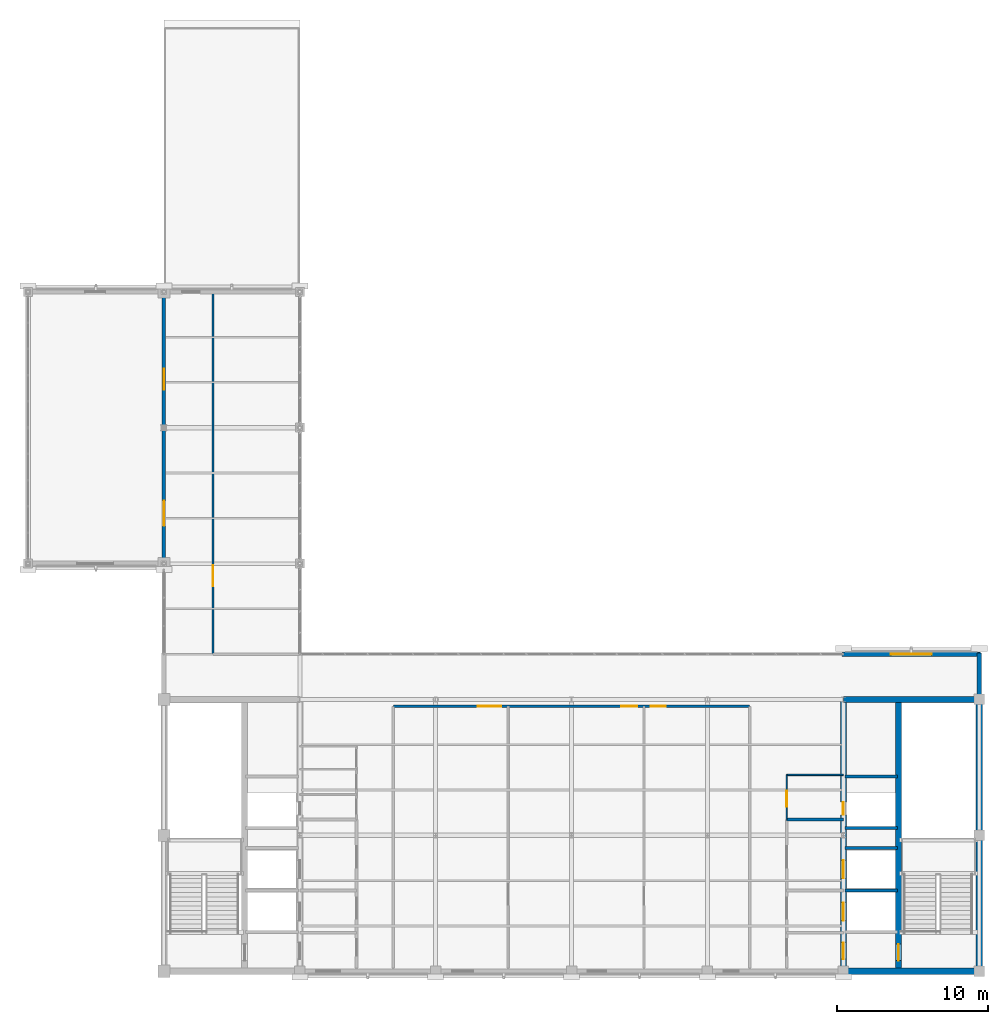
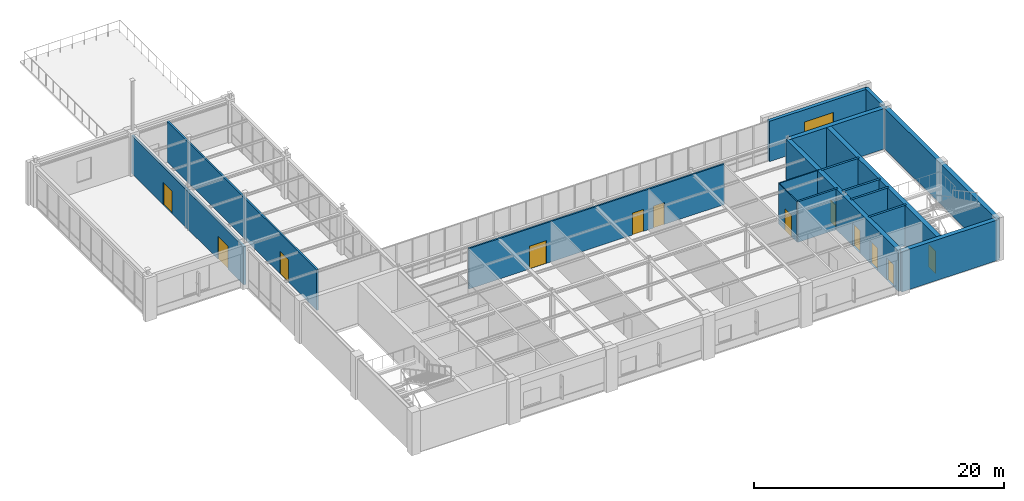
# One storey, part 31 of 36: 17 walls, 12 doors, 1 window, 13 openings.
"""IFC4 building model written with IfcOpenShell, lengths in metres."""

from ifc_helpers import new_model, si_unit, direction, frame, frame_2d, origin, place, context, subcontext, project, spatial, rectangle, extrude, material, layer, layer_set, type_object, element, fill, save


model = new_model("IFC4")

# Units and contexts
model_context = context("Model", 3, precision=1e-05, world=origin(), true_north=direction((0.0, 1.0)))
body_context = subcontext(model_context, "Body", "Model", "MODEL_VIEW")
ifc_project = project(units=[si_unit("LENGTHUNIT", "METRE"), si_unit("AREAUNIT", "SQUARE_METRE"), si_unit("VOLUMEUNIT", "CUBIC_METRE"), si_unit("PLANEANGLEUNIT", "RADIAN"), si_unit("MASSUNIT", "GRAM", prefix="KILO")], contexts=[model_context])

# Site, building, storey
site_placement = place(None, origin())
site = spatial("IfcSite", under=ifc_project, at=site_placement, CompositionType="ELEMENT")
building_placement = place(site_placement, origin())
building = spatial("IfcBuilding", under=site, at=building_placement, Name="Lykobir Media Centre", CompositionType="ELEMENT")
storey_placement = place(building_placement, frame((0.0, 0.0, 27.60009765625)))
storey = spatial("IfcBuildingStorey", under=building, at=storey_placement, Name="L06", CompositionType="ELEMENT", Elevation=27.60009765625)

# Wall
ifc_material_1 = material(Name="Glazed Turquoise Terracotta", Category="masonry")
ifc_layer_1 = layer(ifc_material_1, 0.31005859375, Name="Glazed Turquoise Terracotta")
ifc_layer_set_1 = layer_set([ifc_layer_1], Name="Glazed Turquoise Terracotta")
wall_type_1 = type_object("IfcWallType", Name="EW-TER-310", PredefinedType="STANDARD", material=ifc_layer_set_1)
wall_1_placement = place(storey_placement, frame((81.0, 18.3349609375, 0.0), z_axis=(0.0, 0.0, 1.0), x_axis=(0.0, 1.0, 0.0)))
element("IfcWall", 1, at=wall_1_placement, inside=storey, type_object=wall_type_1, Name="Exterior wall WALL-L06-0354", PredefinedType="STANDARD", context=body_context, shape_type="SweptSolid", body=[
    extrude(rectangle(XDim=2.739990234375, YDim=0.31005859375, at=frame_2d((1.3701171875, 0.0))), origin(), (0.0, 0.0, 1.0), 3.93994140625),
])

# Wall, opening, window
wall_2_placement = place(storey_placement, frame((81.074951171875, 21.0, 0.0), z_axis=(0.0, 0.0, 1.0), x_axis=(-1.0, 0.0, 0.0)))
wall_2 = element("IfcWall", 2, at=wall_2_placement, inside=storey, type_object=wall_type_1, Name="Exterior wall WALL-L06-0355", PredefinedType="STANDARD", context=body_context, shape_type="SweptSolid", body=[
    extrude(rectangle(XDim=9.14990234375, YDim=0.31005859375, at=frame_2d((4.574951171875, 0.0))), origin(), (0.0, 0.0, 1.0), 3.93994140625),
])
opening_1_placement = place(wall_2_placement, frame((3.22509765625, 0.0, 0.89990234375)))
opening_1 = element("IfcOpeningElement", 3, at=opening_1_placement, cuts=wall_2, Name="Opening WN-2700x1850", PredefinedType="OPENING", context=body_context, shape_type="SweptSolid", body=[
    extrude(rectangle(XDim=2.699951171875, YDim=1.85009765625, at=frame_2d((1.35009765625, 0.925048828125))), frame((0.0, 0.1650390625, 0.0), z_axis=(0.0, -1.0, 0.0), x_axis=(1.0, 0.0, 0.0)), (0.0, 0.0, 1.0), 0.330078125),
])
ifc_material_2 = material(Name="Low-E Laminated Triple Glazing", Category="glass")
window_type = type_object("IfcWindowType", Name="WN-2700x1850", PartitioningType="SINGLE_PANEL", PredefinedType="WINDOW", material=ifc_material_2)
window_placement = place(opening_1_placement, origin())
window = element("IfcWindow", 4, at=window_placement, inside=storey, type_object=window_type, Name="Window WIN-L06-0160", OverallHeight=1.85009765625, OverallWidth=2.699951171875, PartitioningType="SINGLE_PANEL", PredefinedType="WINDOW", context=body_context, shape_type="SweptSolid", body=[
    extrude(rectangle(XDim=2.699951171875, YDim=1.85009765625, at=frame_2d((1.35009765625, 0.925048828125))), frame((0.0, 0.030029296875, 0.0), z_axis=(0.0, -1.0, 0.0), x_axis=(1.0, 0.0, 0.0)), (0.0, 0.0, 1.0), 0.06005859375),
])
fill(opening_1, window)

# Wall, openings, doors
ifc_material_3 = material(Name="Acoustic Gypsum Board", Category="gypsum")
ifc_layer_2 = layer(ifc_material_3, 0.14501953125, Name="Acoustic Gypsum Board")
ifc_layer_set_2 = layer_set([ifc_layer_2], Name="Acoustic Gypsum Board")
wall_type_2 = type_object("IfcWallType", Name="IW-COR-145", PredefinedType="PARTITIONING", material=ifc_layer_set_2)
wall_3_placement = place(storey_placement, frame((42.199951171875, 17.550048828125, 0.0), z_axis=(0.0, 0.0, 1.0), x_axis=(1.0, 0.0, 0.0)))
wall_3 = element("IfcWall", 5, at=wall_3_placement, inside=storey, type_object=wall_type_2, Name="Wall IWALL-L06-0772", PredefinedType="PARTITIONING", context=body_context, shape_type="SweptSolid", body=[
    extrude(rectangle(XDim=23.60009765625, YDim=0.14501953125, at=frame_2d((11.800048828125, 0.0))), origin(), (0.0, 0.0, 1.0), 3.9599609375),
])
opening_2_placement = place(wall_3_placement, frame((5.60009765625, 0.0, 0.0)))
opening_2 = element("IfcOpeningElement", 6, at=opening_2_placement, cuts=wall_3, Name="Opening D-L06-V7R1", PredefinedType="OPENING", context=body_context, shape_type="SweptSolid", body=[
    extrude(rectangle(XDim=1.550048828125, YDim=2.239990234375, at=frame_2d((0.77490234375, 1.1201171875))), frame((0.0, 0.08251953125, 0.0), z_axis=(0.0, -1.0, 0.0), x_axis=(1.0, 0.0, 0.0)), (0.0, 0.0, 1.0), 0.1650390625),
])
opening_3_placement = place(wall_3_placement, frame((15.10009765625, 0.0, 0.0)))
opening_3 = element("IfcOpeningElement", 7, at=opening_3_placement, cuts=wall_3, Name="Opening D-L06-V7R2", PredefinedType="OPENING", context=body_context, shape_type="SweptSolid", body=[
    extrude(rectangle(XDim=1.050048828125, YDim=2.14990234375, at=frame_2d((0.52490234375, 1.074951171875))), frame((0.0, 0.08251953125, 0.0), z_axis=(0.0, -1.0, 0.0), x_axis=(1.0, 0.0, 0.0)), (0.0, 0.0, 1.0), 0.1650390625),
])
opening_4_placement = place(wall_3_placement, frame((17.050048828125, 0.0, 0.0)))
opening_4 = element("IfcOpeningElement", 8, at=opening_4_placement, cuts=wall_3, Name="Opening D-L06-V7R3", PredefinedType="OPENING", context=body_context, shape_type="SweptSolid", body=[
    extrude(rectangle(XDim=1.0, YDim=2.139892578125, at=frame_2d((0.5, 1.06982421875))), frame((0.0, 0.08251953125, 0.0), z_axis=(0.0, -1.0, 0.0), x_axis=(1.0, 0.0, 0.0)), (0.0, 0.0, 1.0), 0.1650390625),
])
ifc_material_4 = material(Name="Acoustic Timber Panelling", Category="wood")
door_type_1 = type_object("IfcDoorType", Name="FD-1000x2140", OperationType="NOTDEFINED", PredefinedType="DOOR", material=ifc_material_4)
door_1_placement = place(opening_4_placement, origin())
door_1 = element("IfcDoor", 9, at=door_1_placement, inside=storey, type_object=door_type_1, Name="Door D-L06-V7R3", OperationType="SINGLE_SWING_RIGHT", OverallHeight=2.139892578125, OverallWidth=1.0, PredefinedType="DOOR", context=body_context, shape_type="SweptSolid", body=[
    extrude(rectangle(XDim=1.0, YDim=2.139892578125, at=frame_2d((0.5, 1.06982421875))), frame((0.0, 0.02490234375, 0.0), z_axis=(0.0, -1.0, 0.0), x_axis=(1.0, 0.0, 0.0)), (0.0, 0.0, 1.0), 0.050048828125),
])
fill(opening_4, door_1)
door_type_2 = type_object("IfcDoorType", Name="FD-1050x2150", OperationType="NOTDEFINED", PredefinedType="DOOR", material=ifc_material_4)
door_2_placement = place(opening_3_placement, origin())
door_2 = element("IfcDoor", 10, at=door_2_placement, inside=storey, type_object=door_type_2, Name="Door D-L06-V7R2", OperationType="SINGLE_SWING_RIGHT", OverallHeight=2.14990234375, OverallWidth=1.050048828125, PredefinedType="DOOR", context=body_context, shape_type="SweptSolid", body=[
    extrude(rectangle(XDim=1.050048828125, YDim=2.14990234375, at=frame_2d((0.52490234375, 1.074951171875))), frame((0.0, 0.02490234375, 0.0), z_axis=(0.0, -1.0, 0.0), x_axis=(1.0, 0.0, 0.0)), (0.0, 0.0, 1.0), 0.050048828125),
])
fill(opening_3, door_2)
door_type_3 = type_object("IfcDoorType", Name="FD-1550x2240", OperationType="NOTDEFINED", PredefinedType="DOOR", material=ifc_material_4)
door_3_placement = place(opening_2_placement, origin())
door_3 = element("IfcDoor", 11, at=door_3_placement, inside=storey, type_object=door_type_3, Name="Door D-L06-V7R1", OperationType="SINGLE_SWING_RIGHT", OverallHeight=2.239990234375, OverallWidth=1.550048828125, PredefinedType="DOOR", context=body_context, shape_type="SweptSolid", body=[
    extrude(rectangle(XDim=1.550048828125, YDim=2.239990234375, at=frame_2d((0.77490234375, 1.1201171875))), frame((0.0, 0.02490234375, 0.0), z_axis=(0.0, -1.0, 0.0), x_axis=(1.0, 0.0, 0.0)), (0.0, 0.0, 1.0), 0.050048828125),
])
fill(opening_2, door_3)

# Wall, opening, door
ifc_layer_3 = layer(ifc_material_3, 0.159912109375, Name="Acoustic Gypsum Board")
ifc_layer_set_3 = layer_set([ifc_layer_3], Name="Acoustic Gypsum Board")
wall_type_3 = type_object("IfcWallType", Name="IW-COR-160", PredefinedType="PARTITIONING", material=ifc_layer_set_3)
wall_4_placement = place(storey_placement, frame((30.25, 21.0, 0.0), z_axis=(0.0, 0.0, 1.0), x_axis=(0.0, 1.0, 0.0)))
wall_4 = element("IfcWall", 12, at=wall_4_placement, inside=storey, type_object=wall_type_3, Name="Wall IWALL-L06-0777", PredefinedType="PARTITIONING", context=body_context, shape_type="SweptSolid", body=[
    extrude(rectangle(XDim=24.0, YDim=0.159912109375, at=frame_2d((12.0, 0.0))), origin(), (0.0, 0.0, 1.0), 3.9599609375),
])
opening_5_placement = place(wall_4_placement, frame((4.5, 0.0, 0.0)))
opening_5 = element("IfcOpeningElement", 13, at=opening_5_placement, cuts=wall_4, Name="Opening D-L06-WG1", PredefinedType="OPENING", context=body_context, shape_type="SweptSolid", body=[
    extrude(rectangle(XDim=1.39990234375, YDim=2.199951171875, at=frame_2d((0.699951171875, 1.10009765625))), frame((0.0, 0.08984375, 0.0), z_axis=(0.0, -1.0, 0.0), x_axis=(1.0, 0.0, 0.0)), (0.0, 0.0, 1.0), 0.179931640625),
])
door_type_4 = type_object("IfcDoorType", Name="FD-1400x2200", OperationType="NOTDEFINED", PredefinedType="DOOR", material=ifc_material_4)
door_4_placement = place(opening_5_placement, origin())
door_4 = element("IfcDoor", 14, at=door_4_placement, inside=storey, type_object=door_type_4, Name="Door D-L06-WG1", OperationType="DOUBLE_DOOR_SINGLE_SWING", OverallHeight=2.199951171875, OverallWidth=1.39990234375, PredefinedType="DOOR", context=body_context, shape_type="SweptSolid", body=[
    extrude(rectangle(XDim=1.39990234375, YDim=2.199951171875, at=frame_2d((0.699951171875, 1.10009765625))), frame((0.0, 0.02490234375, 0.0), z_axis=(0.0, -1.0, 0.0), x_axis=(1.0, 0.0, 0.0)), (0.0, 0.0, 1.0), 0.050048828125),
])
fill(opening_5, door_4)

# Walls
ifc_layer_4 = layer(ifc_material_3, 0.179931640625, Name="Acoustic Gypsum Board")
ifc_layer_set_4 = layer_set([ifc_layer_4], Name="Acoustic Gypsum Board")
wall_type_4 = type_object("IfcWallType", Name="IW-FFLOB-180", PredefinedType="PARTITIONING", material=ifc_layer_set_4)
wall_5_placement = place(storey_placement, frame((68.25, 10.050048828125, 0.0), z_axis=(0.0, 0.0, 1.0), x_axis=(1.0, 0.0, 0.0)))
element("IfcWall", 15, at=wall_5_placement, inside=storey, type_object=wall_type_4, Name="Wall IWALL-L06-0308", PredefinedType="PARTITIONING", context=body_context, shape_type="SweptSolid", body=[
    extrude(rectangle(XDim=3.75, YDim=0.179931640625, at=frame_2d((1.875, 0.0))), origin(), (0.0, 0.0, 1.0), 3.9599609375),
])
ifc_material_5 = material(Name="Concrete C30/37", Category="concrete")
ifc_layer_5 = layer(ifc_material_5, 0.199951171875, Name="Concrete C30/37")
ifc_layer_set_5 = layer_set([ifc_layer_5], Name="Concrete C30/37")
wall_type_5 = type_object("IfcWallType", Name="IW-SHAFT-200", PredefinedType="PARTITIONING", material=ifc_layer_set_5)
for number, where, z_axis, x_axis, name in (
    (16, (72.10009765625, 5.35009765625, 0.0), (0.0, 0.0, 1.0), (1.0, 0.0, 0.0), "Wall IWALL-L06-0301"),
    (17, (72.10009765625, 8.14990234375, 0.0), (0.0, 0.0, 1.0), (1.0, 0.0, 0.0), "Wall IWALL-L06-0302"),
    (18, (72.10009765625, 9.5, 0.0), (0.0, 0.0, 1.0), (1.0, 0.0, 0.0), "Wall IWALL-L06-0303"),
    (19, (72.10009765625, 12.89990234375, 0.0), (0.0, 0.0, 1.0), (1.0, 0.0, 0.0), "Wall IWALL-L06-0304"),
):
    element("IfcWall", number, at=place(storey_placement, frame(where, z_axis=z_axis, x_axis=x_axis)), inside=storey, type_object=wall_type_5, Name=name, PredefinedType="PARTITIONING", context=body_context, shape_type="SweptSolid", body=[
        extrude(rectangle(XDim=3.5, YDim=0.199951171875, at=frame_2d((1.75, 0.0))), origin(), (0.0, 0.0, 1.0), 3.9599609375),
    ])

# Wall, openings, doors
ifc_layer_6 = layer(ifc_material_3, 0.219970703125, Name="Acoustic Gypsum Board")
ifc_layer_set_6 = layer_set([ifc_layer_6], Name="Acoustic Gypsum Board")
wall_type_6 = type_object("IfcWallType", Name="IW-STU-220", PredefinedType="PARTITIONING", material=ifc_layer_set_6)
wall_6_placement = place(storey_placement, frame((27.0, 27.0, 0.0), z_axis=(0.0, 0.0, 1.0), x_axis=(0.0, 1.0, 0.0)))
wall_6 = element("IfcWall", 20, at=wall_6_placement, inside=storey, type_object=wall_type_6, Name="Wall IWALL-L06-0779", PredefinedType="PARTITIONING", context=body_context, shape_type="SweptSolid", body=[
    extrude(rectangle(XDim=18.0, YDim=0.219970703125, at=frame_2d((9.0, 0.0))), origin(), (0.0, 0.0, 1.0), 3.712890625),
])
opening_6_placement = place(wall_6_placement, frame((2.5, 0.0, 0.0)))
opening_6 = element("IfcOpeningElement", 21, at=opening_6_placement, cuts=wall_6, Name="Opening D-L06-FES1", PredefinedType="OPENING", context=body_context, shape_type="SweptSolid", body=[
    extrude(rectangle(XDim=1.64990234375, YDim=2.25, at=frame_2d((0.824951171875, 1.125))), frame((0.0, 0.119873046875, 0.0), z_axis=(0.0, -1.0, 0.0), x_axis=(1.0, 0.0, 0.0)), (0.0, 0.0, 1.0), 0.239990234375),
])
opening_7_placement = place(wall_6_placement, frame((11.5, 0.0, 0.0)))
opening_7 = element("IfcOpeningElement", 22, at=opening_7_placement, cuts=wall_6, Name="Opening D-L06-V3B1", PredefinedType="OPENING", context=body_context, shape_type="SweptSolid", body=[
    extrude(rectangle(XDim=1.39990234375, YDim=2.199951171875, at=frame_2d((0.699951171875, 1.10009765625))), frame((0.0, 0.119873046875, 0.0), z_axis=(0.0, -1.0, 0.0), x_axis=(1.0, 0.0, 0.0)), (0.0, 0.0, 1.0), 0.239990234375),
])
door_5_placement = place(opening_7_placement, origin())
door_5 = element("IfcDoor", 23, at=door_5_placement, inside=storey, type_object=door_type_4, Name="Door D-L06-V3B1", OperationType="DOUBLE_DOOR_SINGLE_SWING", OverallHeight=2.199951171875, OverallWidth=1.39990234375, PredefinedType="DOOR", context=body_context, shape_type="SweptSolid", body=[
    extrude(rectangle(XDim=1.39990234375, YDim=2.199951171875, at=frame_2d((0.699951171875, 1.10009765625))), frame((0.0, 0.02490234375, 0.0), z_axis=(0.0, -1.0, 0.0), x_axis=(1.0, 0.0, 0.0)), (0.0, 0.0, 1.0), 0.050048828125),
])
fill(opening_7, door_5)
door_type_5 = type_object("IfcDoorType", Name="FD-1650x2250", OperationType="NOTDEFINED", PredefinedType="DOOR", material=ifc_material_4)
door_6_placement = place(opening_6_placement, origin())
door_6 = element("IfcDoor", 24, at=door_6_placement, inside=storey, type_object=door_type_5, Name="Door D-L06-FES1", OperationType="DOUBLE_DOOR_SINGLE_SWING", OverallHeight=2.25, OverallWidth=1.64990234375, PredefinedType="DOOR", context=body_context, shape_type="SweptSolid", body=[
    extrude(rectangle(XDim=1.64990234375, YDim=2.25, at=frame_2d((0.824951171875, 1.125))), frame((0.0, 0.02490234375, 0.0), z_axis=(0.0, -1.0, 0.0), x_axis=(1.0, 0.0, 0.0)), (0.0, 0.0, 1.0), 0.050048828125),
])
fill(opening_6, door_6)

# Wall, opening, door
ifc_layer_7 = layer(ifc_material_3, 0.094970703125, Name="Acoustic Gypsum Board")
ifc_layer_set_7 = layer_set([ifc_layer_7], Name="Acoustic Gypsum Board")
wall_type_7 = type_object("IfcWallType", Name="IW-WC-095", PredefinedType="PARTITIONING", material=ifc_layer_set_7)
wall_7_placement = place(storey_placement, frame((68.25, 10.050048828125, 0.0), z_axis=(0.0, 0.0, 1.0), x_axis=(0.0, 1.0, 0.0)))
wall_7 = element("IfcWall", 25, at=wall_7_placement, inside=storey, type_object=wall_type_7, Name="Wall IWALL-L06-0309", PredefinedType="PARTITIONING", context=body_context, shape_type="SweptSolid", body=[
    extrude(rectangle(XDim=2.949951171875, YDim=0.094970703125, at=frame_2d((1.47509765625, 0.0))), origin(), (0.0, 0.0, 1.0), 3.9599609375),
])
opening_8_placement = place(wall_7_placement, frame((0.85009765625, 0.0, 0.0)))
opening_8 = element("IfcOpeningElement", 26, at=opening_8_placement, cuts=wall_7, Name="Opening D-L06-WCA2", PredefinedType="OPENING", context=body_context, shape_type="SweptSolid", body=[
    extrude(rectangle(XDim=1.050048828125, YDim=2.1298828125, at=frame_2d((0.52490234375, 1.06494140625))), frame((0.0, 0.057373046875, 0.0), z_axis=(0.0, -1.0, 0.0), x_axis=(1.0, 0.0, 0.0)), (0.0, 0.0, 1.0), 0.114990234375),
])
door_type_6 = type_object("IfcDoorType", Name="ID-1050x2130", OperationType="NOTDEFINED", PredefinedType="DOOR", material=ifc_material_4)
door_7_placement = place(opening_8_placement, origin())
door_7 = element("IfcDoor", 27, at=door_7_placement, inside=storey, type_object=door_type_6, Name="Door D-L06-WCA2", OperationType="SINGLE_SWING_LEFT", OverallHeight=2.1298828125, OverallWidth=1.050048828125, PredefinedType="DOOR", context=body_context, shape_type="SweptSolid", body=[
    extrude(rectangle(XDim=1.050048828125, YDim=2.1298828125, at=frame_2d((0.52490234375, 1.06494140625))), frame((0.0, 0.02490234375, 0.0), z_axis=(0.0, -1.0, 0.0), x_axis=(1.0, 0.0, 0.0)), (0.0, 0.0, 1.0), 0.050048828125),
])
fill(opening_8, door_7)

# Wall
wall_8_placement = place(storey_placement, frame((68.25, 13.0, 0.0), z_axis=(0.0, 0.0, 1.0), x_axis=(1.0, 0.0, 0.0)))
element("IfcWall", 28, at=wall_8_placement, inside=storey, type_object=wall_type_7, Name="Wall IWALL-L06-0310", PredefinedType="PARTITIONING", context=body_context, shape_type="SweptSolid", body=[
    extrude(rectangle(XDim=3.75, YDim=0.094970703125, at=frame_2d((1.875, 0.0))), origin(), (0.0, 0.0, 1.0), 3.9599609375),
])

# Wall, openings, doors
ifc_material_6 = material(Name="Concrete C40/50", Category="concrete")
ifc_layer_8 = layer(ifc_material_6, 0.39990234375, Name="Concrete C40/50")
ifc_layer_set_8 = layer_set([ifc_layer_8], Name="Concrete C40/50")
wall_type_8 = type_object("IfcWallType", Name="SW-CORE-400", PredefinedType="SHEAR", material=ifc_layer_set_8)
wall_9_placement = place(storey_placement, frame((72.0, 18.0, 0.0), z_axis=(0.0, 0.0, 1.0), x_axis=(0.0, -1.0, 0.0)))
wall_9 = element("IfcWall", 29, at=wall_9_placement, inside=storey, type_object=wall_type_8, Name="Wall IWALL-L06-0298", PredefinedType="SHEAR", context=body_context, shape_type="SweptSolid", body=[
    extrude(rectangle(XDim=18.0, YDim=0.39990234375, at=frame_2d((9.0, 0.0))), origin(), (0.0, 0.0, 1.0), 3.9599609375),
])
opening_9_placement = place(wall_9_placement, frame((16.10009765625, 0.0, 0.0)))
opening_9 = element("IfcOpeningElement", 30, at=opening_9_placement, cuts=wall_9, Name="Opening D-L06-C2VB", PredefinedType="OPENING", context=body_context, shape_type="SweptSolid", body=[
    extrude(rectangle(XDim=1.10009765625, YDim=2.159912109375, at=frame_2d((0.550048828125, 1.080078125))), frame((0.0, 0.2099609375, 0.0), z_axis=(0.0, -1.0, 0.0), x_axis=(1.0, 0.0, 0.0)), (0.0, 0.0, 1.0), 0.419921875),
])
opening_10_placement = place(wall_9_placement, frame((13.449951171875, 0.0, 0.0)))
opening_10 = element("IfcOpeningElement", 31, at=opening_10_placement, cuts=wall_9, Name="Opening LD-L06-PL-2", PredefinedType="OPENING", context=body_context, shape_type="SweptSolid", body=[
    extrude(rectangle(XDim=1.199951171875, YDim=2.199951171875, at=frame_2d((0.60009765625, 1.10009765625))), frame((0.0, 0.2099609375, 0.0), z_axis=(0.0, -1.0, 0.0), x_axis=(1.0, 0.0, 0.0)), (0.0, 0.0, 1.0), 0.419921875),
])
opening_11_placement = place(wall_9_placement, frame((10.64990234375, 0.0, 0.0)))
opening_11 = element("IfcOpeningElement", 32, at=opening_11_placement, cuts=wall_9, Name="Opening LD-L06-FL-2", PredefinedType="OPENING", context=body_context, shape_type="SweptSolid", body=[
    extrude(rectangle(XDim=1.199951171875, YDim=2.199951171875, at=frame_2d((0.60009765625, 1.10009765625))), frame((0.0, 0.2099609375, 0.0), z_axis=(0.0, -1.0, 0.0), x_axis=(1.0, 0.0, 0.0)), (0.0, 0.0, 1.0), 0.419921875),
])
opening_12_placement = place(wall_9_placement, frame((6.800048828125, 0.0, 0.0)))
opening_12 = element("IfcOpeningElement", 33, at=opening_12_placement, cuts=wall_9, Name="Opening D-L06-C2RS", PredefinedType="OPENING", context=body_context, shape_type="SweptSolid", body=[
    extrude(rectangle(XDim=0.85009765625, YDim=2.10009765625, at=frame_2d((0.425048828125, 1.050048828125))), frame((0.0, 0.2099609375, 0.0), z_axis=(0.0, -1.0, 0.0), x_axis=(1.0, 0.0, 0.0)), (0.0, 0.0, 1.0), 0.419921875),
])
ifc_material_7 = material(Name="Anodized Aluminium AW-6060", Category="aluminium")
door_type_7 = type_object("IfcDoorType", Name="FD-0850x2100", OperationType="NOTDEFINED", PredefinedType="DOOR", material=ifc_material_7)
door_8_placement = place(opening_12_placement, origin())
door_8 = element("IfcDoor", 34, at=door_8_placement, inside=storey, type_object=door_type_7, Name="Riser access door C2 L06", OperationType="SINGLE_SWING_LEFT", OverallHeight=2.10009765625, OverallWidth=0.85009765625, PredefinedType="DOOR", context=body_context, shape_type="SweptSolid", body=[
    extrude(rectangle(XDim=0.85009765625, YDim=2.10009765625, at=frame_2d((0.425048828125, 1.050048828125))), frame((0.0, 0.02490234375, 0.0), z_axis=(0.0, -1.0, 0.0), x_axis=(1.0, 0.0, 0.0)), (0.0, 0.0, 1.0), 0.050048828125),
])
fill(opening_12, door_8)
door_type_8 = type_object("IfcDoorType", Name="FD-1100x2160", OperationType="NOTDEFINED", PredefinedType="DOOR", material=ifc_material_4)
door_9_placement = place(opening_9_placement, origin())
door_9 = element("IfcDoor", 35, at=door_9_placement, inside=storey, type_object=door_type_8, Name="Door D-L06-C2VB", OperationType="SINGLE_SWING_RIGHT", OverallHeight=2.159912109375, OverallWidth=1.10009765625, PredefinedType="DOOR", context=body_context, shape_type="SweptSolid", body=[
    extrude(rectangle(XDim=1.10009765625, YDim=2.159912109375, at=frame_2d((0.550048828125, 1.080078125))), frame((0.0, 0.02490234375, 0.0), z_axis=(0.0, -1.0, 0.0), x_axis=(1.0, 0.0, 0.0)), (0.0, 0.0, 1.0), 0.050048828125),
])
fill(opening_9, door_9)
door_type_9 = type_object("IfcDoorType", Name="LD-1200x2200", OperationType="NOTDEFINED", PredefinedType="DOOR", material=ifc_material_7)
door_10_placement = place(opening_10_placement, origin())
door_10 = element("IfcDoor", 36, at=door_10_placement, inside=storey, type_object=door_type_9, Name="Lift landing door PL-2 L06", OperationType="SLIDING_TO_LEFT", OverallHeight=2.199951171875, OverallWidth=1.199951171875, PredefinedType="DOOR", context=body_context, shape_type="SweptSolid", body=[
    extrude(rectangle(XDim=1.199951171875, YDim=2.199951171875, at=frame_2d((0.60009765625, 1.10009765625))), frame((0.0, 0.02490234375, 0.0), z_axis=(0.0, -1.0, 0.0), x_axis=(1.0, 0.0, 0.0)), (0.0, 0.0, 1.0), 0.050048828125),
])
fill(opening_10, door_10)
door_11_placement = place(opening_11_placement, origin())
door_11 = element("IfcDoor", 37, at=door_11_placement, inside=storey, type_object=door_type_9, Name="Firefighting lift landing door FL-2 L06", OperationType="SLIDING_TO_LEFT", OverallHeight=2.199951171875, OverallWidth=1.199951171875, PredefinedType="DOOR", context=body_context, shape_type="SweptSolid", body=[
    extrude(rectangle(XDim=1.199951171875, YDim=2.199951171875, at=frame_2d((0.60009765625, 1.10009765625))), frame((0.0, 0.02490234375, 0.0), z_axis=(0.0, -1.0, 0.0), x_axis=(1.0, 0.0, 0.0)), (0.0, 0.0, 1.0), 0.050048828125),
])
fill(opening_11, door_11)

# Wall, opening, door
wall_10_placement = place(storey_placement, frame((75.64990234375, 0.0, 0.0), z_axis=(0.0, 0.0, 1.0), x_axis=(0.0, 1.0, 0.0)))
wall_10 = element("IfcWall", 38, at=wall_10_placement, inside=storey, type_object=wall_type_8, Name="Wall IWALL-L06-0299", PredefinedType="SHEAR", context=body_context, shape_type="SweptSolid", body=[
    extrude(rectangle(XDim=18.0, YDim=0.39990234375, at=frame_2d((9.0, 0.0))), origin(), (0.0, 0.0, 1.0), 3.9599609375),
])
opening_13_placement = place(wall_10_placement, frame((0.699951171875, 0.0, 0.0)))
opening_13 = element("IfcOpeningElement", 39, at=opening_13_placement, cuts=wall_10, Name="Opening D-L06-C2ST", PredefinedType="OPENING", context=body_context, shape_type="SweptSolid", body=[
    extrude(rectangle(XDim=1.10009765625, YDim=2.159912109375, at=frame_2d((0.550048828125, 1.080078125))), frame((0.0, 0.2099609375, 0.0), z_axis=(0.0, -1.0, 0.0), x_axis=(1.0, 0.0, 0.0)), (0.0, 0.0, 1.0), 0.419921875),
])
door_12_placement = place(opening_13_placement, origin())
door_12 = element("IfcDoor", 40, at=door_12_placement, inside=storey, type_object=door_type_8, Name="L06 ST-2 stairwell fire door", OperationType="SINGLE_SWING_LEFT", OverallHeight=2.159912109375, OverallWidth=1.10009765625, PredefinedType="DOOR", context=body_context, shape_type="SweptSolid", body=[
    extrude(rectangle(XDim=1.10009765625, YDim=2.159912109375, at=frame_2d((0.550048828125, 1.080078125))), frame((0.0, 0.02490234375, 0.0), z_axis=(0.0, -1.0, 0.0), x_axis=(1.0, 0.0, 0.0)), (0.0, 0.0, 1.0), 0.050048828125),
])
fill(opening_13, door_12)

# Walls
ifc_layer_9 = layer(ifc_material_6, 0.39990234375, Name="Concrete C40/50")
ifc_layer_set_9 = layer_set([ifc_layer_9], Name="Concrete C40/50")
wall_type_9 = type_object("IfcWallType", Name="SW-CORE-400-E", PredefinedType="SHEAR", material=ifc_layer_set_9)
wall_11_placement = place(storey_placement, frame((72.0, 0.0, 0.0), z_axis=(0.0, 0.0, 1.0), x_axis=(1.0, 0.0, 0.0)))
element("IfcWall", 41, at=wall_11_placement, inside=storey, type_object=wall_type_9, Name="Wall IWALL-L06-0295", PredefinedType="SHEAR", context=body_context, shape_type="SweptSolid", body=[
    extrude(rectangle(XDim=9.0, YDim=0.39990234375, at=frame_2d((4.5, 0.0))), origin(), (0.0, 0.0, 1.0), 3.9599609375),
])
wall_12_placement = place(storey_placement, frame((81.0, 0.0, 0.0), z_axis=(0.0, 0.0, 1.0), x_axis=(0.0, 1.0, 0.0)))
element("IfcWall", 42, at=wall_12_placement, inside=storey, type_object=wall_type_9, Name="Wall IWALL-L06-0296", PredefinedType="SHEAR", context=body_context, shape_type="SweptSolid", body=[
    extrude(rectangle(XDim=18.0, YDim=0.39990234375, at=frame_2d((9.0, 0.0))), origin(), (0.0, 0.0, 1.0), 3.9599609375),
])
wall_13_placement = place(storey_placement, frame((81.0, 18.0, 0.0), z_axis=(0.0, 0.0, 1.0), x_axis=(-1.0, 0.0, 0.0)))
element("IfcWall", 43, at=wall_13_placement, inside=storey, type_object=wall_type_9, Name="Wall IWALL-L06-0297", PredefinedType="SHEAR", context=body_context, shape_type="SweptSolid", body=[
    extrude(rectangle(XDim=9.0, YDim=0.39990234375, at=frame_2d((4.5, 0.0))), origin(), (0.0, 0.0, 1.0), 3.9599609375),
])

save(model, "model.ifc")
